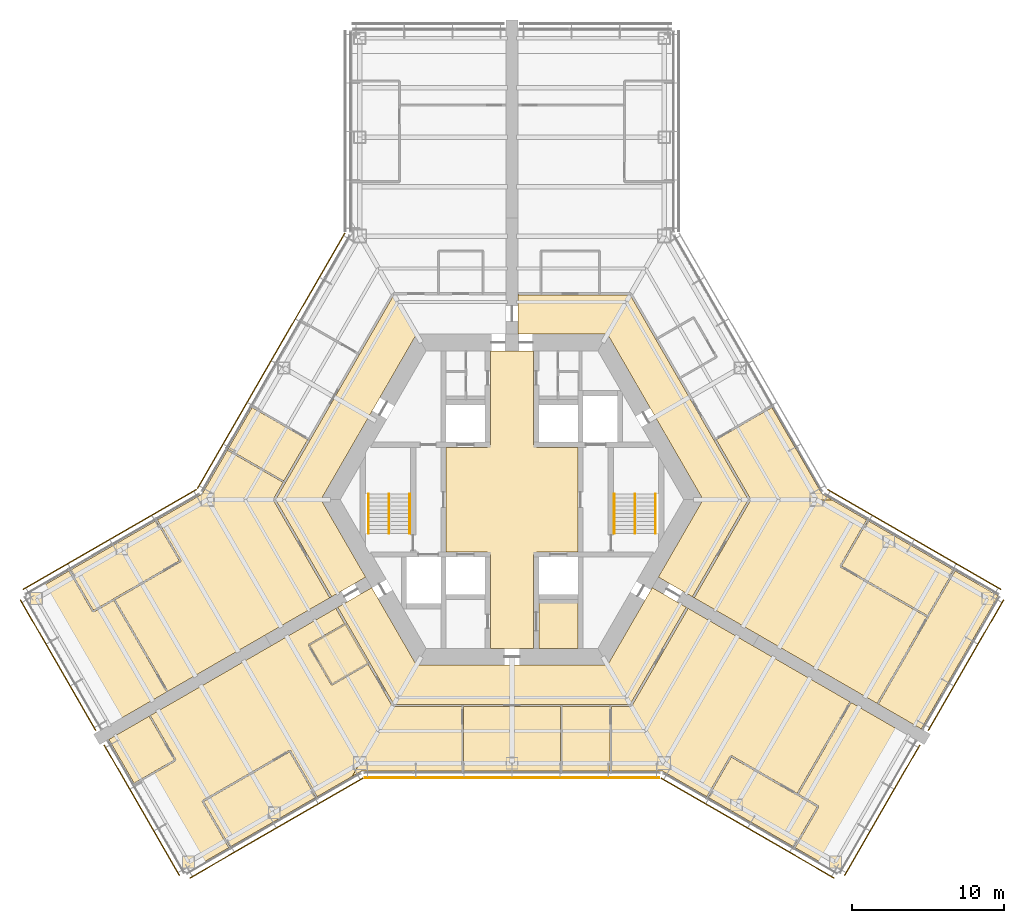
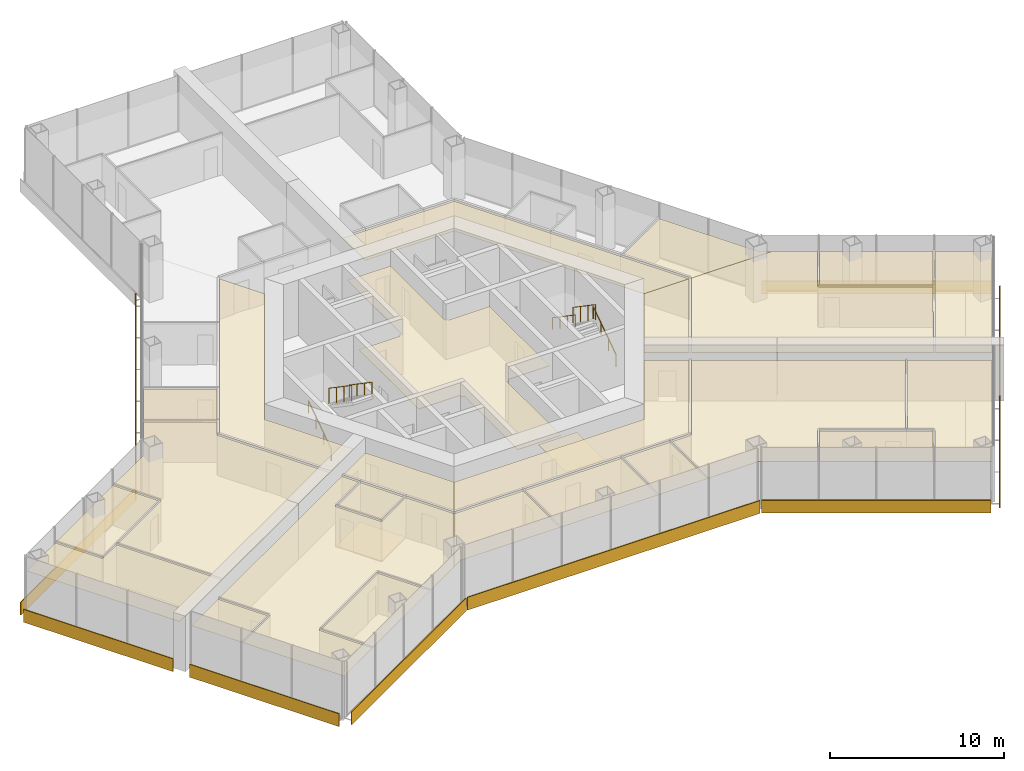
# One storey, part 17 of 18: 26 coverings, 10 shading devices, 6 railings.
"""IFC4 building model written with IfcOpenShell, lengths in metres."""

from ifc_helpers import new_model, si_unit, direction, frame, origin, origin_2d, place, context, subcontext, project, spatial, polyline, rectangle, circle, outline, extrude, material, layer, layer_set, type_object, element, save


model = new_model("IFC4")

# Units and contexts
model_context = context("Model", 3, precision=1e-05, world=origin(), true_north=direction((0.0, 1.0)))
body_context = subcontext(model_context, "Body", "Model", "MODEL_VIEW")
ifc_project = project(units=[si_unit("LENGTHUNIT", "METRE"), si_unit("AREAUNIT", "SQUARE_METRE"), si_unit("VOLUMEUNIT", "CUBIC_METRE"), si_unit("PLANEANGLEUNIT", "RADIAN"), si_unit("MASSUNIT", "GRAM", prefix="KILO")], contexts=[model_context])

# Site, building, storey
site_placement = place(None, origin())
site = spatial("IfcSite", under=ifc_project, at=site_placement, CompositionType="ELEMENT")
building_placement = place(site_placement, origin())
building = spatial("IfcBuilding", under=site, at=building_placement, Name="Kasaneha Research Tower", CompositionType="ELEMENT")
storey_placement = place(building_placement, frame((0.0, 0.0, 115.800048828125)))
storey = spatial("IfcBuildingStorey", under=building, at=storey_placement, Name="L29", CompositionType="ELEMENT", Elevation=115.800048828125)

# Covering
ifc_material_1 = material(Name="Aluminium panel ceiling", Category="aluminium")
ifc_layer_1 = layer(ifc_material_1, 0.0400390625)
ifc_layer_set_1 = layer_set([ifc_layer_1], Name="Lift lobby ceiling 40")
covering_type_1 = type_object("IfcCoveringType", Name="Lift lobby ceiling 40", PredefinedType="CEILING", material=ifc_layer_set_1)
covering_1_placement = place(storey_placement, frame((0.0, 0.0, 2.699951171875)))
element("IfcCovering", 1, at=covering_1_placement, inside=storey, type_object=covering_type_1, Name="Ceiling L29-01", PredefinedType="CEILING", context=body_context, shape_type="SweptSolid", body=[
    extrude(outline(polyline([(1.425048828125, 9.77490234375), (1.425048828125, 3.60009765625), (1.60009765625, 3.60009765625), (1.60009765625, 3.425048828125), (4.324951171875, 3.425048828125), (4.324951171875, -3.425048828125), (1.60009765625, -3.425048828125), (1.60009765625, -3.60009765625), (1.425048828125, -3.60009765625), (1.425048828125, -9.77490234375), (-1.425048828125, -9.77490234375), (-1.425048828125, -3.60009765625), (-1.60009765625, -3.60009765625), (-1.60009765625, -3.425048828125), (-4.324951171875, -3.425048828125), (-4.324951171875, 3.425048828125), (-1.60009765625, 3.425048828125), (-1.60009765625, 3.60009765625), (-1.425048828125, 3.60009765625), (-1.425048828125, 9.77490234375), (1.425048828125, 9.77490234375)])), origin(), (0.0, 0.0, 1.0), 0.0400390625),
])

# Railings
ifc_material_2 = material(Name="Steel", Category="steel")
railing_type_1 = type_object("IfcRailingType", Name="Stair balustrade 1100", PredefinedType="GUARDRAIL", material=ifc_material_2)
for number, where, name in (
    (2, (8.074951171875, 0.375, 2.127197265625), "Stair 1 balustrade L29"),
    (3, (-8.074951171875, 0.375, 2.127197265625), "Stair 2 balustrade L29"),
):
    element("IfcRailing", number, at=place(storey_placement, frame(where)), inside=storey, type_object=railing_type_1, Name=name, PredefinedType="GUARDRAIL", context=body_context, shape_type="SweptSolid", body=[
        extrude(circle(Radius=0.02392578125, at=origin_2d()), frame((0.0, 0.0, 1.076171875), z_axis=(0.0, -0.826240473404, 0.563317565952), x_axis=(1.0, 0.0, 0.0)), (0.0, 0.0, 1.0), 3.14697265625),
        extrude(circle(Radius=0.02099609375, at=origin_2d()), origin(), (0.0, 0.0, 1.0), 1.052001953125),
        extrude(circle(Radius=0.02099609375, at=origin_2d()), frame((0.0, -0.86669921875, 0.5908203125)), (0.0, 0.0, 1.0), 1.052001953125),
        extrude(circle(Radius=0.02099609375, at=origin_2d()), frame((0.0, -1.7333984375, 1.181884765625)), (0.0, 0.0, 1.0), 1.052001953125),
        extrude(circle(Radius=0.02099609375, at=origin_2d()), frame((0.0, -2.60009765625, 1.772705078125)), (0.0, 0.0, 1.0), 1.052001953125),
    ])
ifc_material_3 = material(Name="Steel", Category="steel")
railing_type_2 = type_object("IfcRailingType", Name="Stair handrail 850", PredefinedType="HANDRAIL", material=ifc_material_3)
railing_1_placement = place(storey_placement, frame((9.425048828125, -2.22509765625, 0.17724609375)))
element("IfcRailing", 4, at=railing_1_placement, inside=storey, type_object=railing_type_2, Name="Stair 1 handrail L29", PredefinedType="HANDRAIL", context=body_context, shape_type="SweptSolid", body=[
    extrude(circle(Radius=0.02392578125, at=origin_2d()), frame((0.0, 0.0, 0.826171875), z_axis=(0.0, 0.826240473404, 0.563317565952), x_axis=(-1.0, 0.0, 0.0)), (0.0, 0.0, 1.0), 3.14697265625),
    extrude(circle(Radius=0.02099609375, at=origin_2d()), origin(), (0.0, 0.0, 1.0), 0.802001953125),
    extrude(circle(Radius=0.02099609375, at=origin_2d()), frame((0.0, 0.86669921875, 0.5908203125)), (0.0, 0.0, 1.0), 0.802001953125),
    extrude(circle(Radius=0.02099609375, at=origin_2d()), frame((0.0, 1.7333984375, 1.181884765625)), (0.0, 0.0, 1.0), 0.802001953125),
    extrude(circle(Radius=0.02099609375, at=origin_2d()), frame((0.0, 2.60009765625, 1.772705078125)), (0.0, 0.0, 1.0), 0.802001953125),
])
railing_2_placement = place(storey_placement, frame((6.72509765625, 0.375, 2.127197265625)))
element("IfcRailing", 5, at=railing_2_placement, inside=storey, type_object=railing_type_2, Name="Stair 1 handrail L29", PredefinedType="HANDRAIL", context=body_context, shape_type="SweptSolid", body=[
    extrude(circle(Radius=0.02392578125, at=origin_2d()), frame((0.0, 0.0, 0.826171875), z_axis=(0.0, -0.826240473404, 0.563317565952), x_axis=(1.0, 0.0, 0.0)), (0.0, 0.0, 1.0), 3.14697265625),
    extrude(circle(Radius=0.02099609375, at=origin_2d()), origin(), (0.0, 0.0, 1.0), 0.802001953125),
    extrude(circle(Radius=0.02099609375, at=origin_2d()), frame((0.0, -0.86669921875, 0.5908203125)), (0.0, 0.0, 1.0), 0.802001953125),
    extrude(circle(Radius=0.02099609375, at=origin_2d()), frame((0.0, -1.7333984375, 1.181884765625)), (0.0, 0.0, 1.0), 0.802001953125),
    extrude(circle(Radius=0.02099609375, at=origin_2d()), frame((0.0, -2.60009765625, 1.772705078125)), (0.0, 0.0, 1.0), 0.802001953125),
])
railing_3_placement = place(storey_placement, frame((-9.425048828125, -2.22509765625, 0.17724609375)))
element("IfcRailing", 6, at=railing_3_placement, inside=storey, type_object=railing_type_2, Name="Stair 2 handrail L29", PredefinedType="HANDRAIL", context=body_context, shape_type="SweptSolid", body=[
    extrude(circle(Radius=0.02392578125, at=origin_2d()), frame((0.0, 0.0, 0.826171875), z_axis=(0.0, 0.826240473404, 0.563317565952), x_axis=(-1.0, 0.0, 0.0)), (0.0, 0.0, 1.0), 3.14697265625),
    extrude(circle(Radius=0.02099609375, at=origin_2d()), origin(), (0.0, 0.0, 1.0), 0.802001953125),
    extrude(circle(Radius=0.02099609375, at=origin_2d()), frame((0.0, 0.86669921875, 0.5908203125)), (0.0, 0.0, 1.0), 0.802001953125),
    extrude(circle(Radius=0.02099609375, at=origin_2d()), frame((0.0, 1.7333984375, 1.181884765625)), (0.0, 0.0, 1.0), 0.802001953125),
    extrude(circle(Radius=0.02099609375, at=origin_2d()), frame((0.0, 2.60009765625, 1.772705078125)), (0.0, 0.0, 1.0), 0.802001953125),
])
railing_4_placement = place(storey_placement, frame((-6.72509765625, 0.375, 2.127197265625)))
element("IfcRailing", 7, at=railing_4_placement, inside=storey, type_object=railing_type_2, Name="Stair 2 handrail L29", PredefinedType="HANDRAIL", context=body_context, shape_type="SweptSolid", body=[
    extrude(circle(Radius=0.02392578125, at=origin_2d()), frame((0.0, 0.0, 0.826171875), z_axis=(0.0, -0.826240473404, 0.563317565952), x_axis=(1.0, 0.0, 0.0)), (0.0, 0.0, 1.0), 3.14697265625),
    extrude(circle(Radius=0.02099609375, at=origin_2d()), origin(), (0.0, 0.0, 1.0), 0.802001953125),
    extrude(circle(Radius=0.02099609375, at=origin_2d()), frame((0.0, -0.86669921875, 0.5908203125)), (0.0, 0.0, 1.0), 0.802001953125),
    extrude(circle(Radius=0.02099609375, at=origin_2d()), frame((0.0, -1.7333984375, 1.181884765625)), (0.0, 0.0, 1.0), 0.802001953125),
    extrude(circle(Radius=0.02099609375, at=origin_2d()), frame((0.0, -2.60009765625, 1.772705078125)), (0.0, 0.0, 1.0), 0.802001953125),
])

# Coverings
ifc_material_4 = material(Name="Gypsum ceiling board", Category="gypsum")
ifc_layer_2 = layer(ifc_material_4, 0.02001953125)
ifc_layer_set_2 = layer_set([ifc_layer_2], Name="Suspended ceiling 20")
covering_type_2 = type_object("IfcCoveringType", Name="Suspended ceiling 20", PredefinedType="CEILING", material=ifc_layer_set_2)
covering_2_placement = place(storey_placement, frame((0.0, 0.0, 2.800048828125)))
element("IfcCovering", 8, at=covering_2_placement, inside=storey, type_object=covering_type_2, Name="Ceiling L29-26", PredefinedType="CEILING", context=body_context, shape_type="SweptSolid", body=[
    extrude(outline(polyline([(6.278564453125, 10.875), (0.39990234375, 10.875), (0.39990234375, 11.72509765625), (0.39990234375, 12.72509765625), (0.39990234375, 13.52490234375), (0.419921875, 13.52490234375), (0.419921875, 13.449951171875), (1.89501953125, 13.449951171875), (1.904541015625, 13.449951171875), (5.75244140625, 13.449951171875), (5.761962890625, 13.449951171875), (7.765380859375, 13.449951171875), (9.4501953125, 10.531494140625), (9.4501953125, 10.53173828125), (10.950439453125, 7.93310546875), (10.95068359375, 7.93310546875), (13.2734375, 3.90966796875), (13.2734375, 3.90966796875), (15.53076171875, 0.0), (15.53076171875, 0.0), (12.557373046875, 0.0), (6.278564453125, 10.875)])), origin(), (0.0, 0.0, 1.0), 0.02001953125),
])
covering_3_placement = place(storey_placement, frame((0.0, 0.0, 2.800048828125)))
element("IfcCovering", 9, at=covering_3_placement, inside=storey, type_object=covering_type_2, Name="Ceiling L29-30", PredefinedType="CEILING", context=body_context, shape_type="SweptSolid", body=[
    extrude(outline(polyline([(18.690185546875, 3.29296875), (20.374755859375, 0.374755859375), (21.006103515625, 0.010498046875), (21.011962890625, -0.000244140625), (21.006591796875, -0.010009765625), (15.612060546875, -0.010498046875), (15.604248046875, -0.00048828125), (15.61767578125, 0.000244140625), (15.606201171875, 0.020263671875), (15.670654296875, 0.0576171875), (13.42822265625, 3.94140625), (17.081298828125, 6.055419921875), (18.673583984375, 3.29736328125), (18.682861328125, 3.29833984375), (18.690185546875, 3.29296875)])), origin(), (0.0, 0.0, 1.0), 0.02001953125),
])
covering_4_placement = place(storey_placement, frame((0.0, 0.0, 2.800048828125)))
element("IfcCovering", 10, at=covering_4_placement, inside=storey, type_object=covering_type_2, Name="Ceiling L29-38", PredefinedType="CEILING", context=body_context, shape_type="SweptSolid", body=[
    extrude(outline(polyline([(-12.557373046875, 0.0), (-9.617919921875, -5.091064453125), (-11.77685546875, -6.33740234375), (-11.9130859375, -6.416015625), (-11.923095703125, -6.398681640625), (-11.858154296875, -6.361328125), (-15.53076171875, 0.0), (-14.89697265625, 1.09765625), (-14.89697265625, 1.09765625), (-13.2734375, 3.90966796875), (-13.2734375, 3.90966796875), (-10.02734375, 9.5322265625), (-10.02734375, 9.531982421875), (-7.765380859375, 13.449951171875), (-6.278564453125, 10.875), (-12.557373046875, 0.0)])), origin(), (0.0, 0.0, 1.0), 0.02001953125),
])
covering_5_placement = place(storey_placement, frame((0.0, 0.0, 2.800048828125)))
element("IfcCovering", 11, at=covering_5_placement, inside=storey, type_object=covering_type_2, Name="Ceiling L29-39", PredefinedType="CEILING", context=body_context, shape_type="SweptSolid", body=[
    extrude(outline(polyline([(-29.075439453125, -4.661865234375), (-29.065185546875, -4.6796875), (-29.108642578125, -4.70458984375), (-27.568359375, -7.371826171875), (-27.52490234375, -7.3466796875), (-27.500244140625, -7.39013671875), (-26.167236328125, -6.626220703125), (-22.701171875, -12.62158203125), (-22.65771484375, -12.596435546875), (-22.647705078125, -12.61376953125), (-26.891357421875, -15.063720703125), (-31.94189453125, -6.317138671875), (-29.075439453125, -4.661865234375)])), origin(), (0.0, 0.0, 1.0), 0.02001953125),
])
covering_6_placement = place(storey_placement, frame((0.0, 0.0, 2.800048828125)))
element("IfcCovering", 12, at=covering_6_placement, inside=storey, type_object=covering_type_2, Name="Ceiling L29-41", PredefinedType="CEILING", context=body_context, shape_type="SweptSolid", body=[
    extrude(outline(polyline([(-18.679443359375, 3.287353515625), (-17.081298828125, 6.055419921875), (-13.42822265625, 3.94140625), (-14.9970703125, 1.22412109375), (-18.63720703125, 3.320556640625), (-18.662109375, 3.27734375), (-18.679443359375, 3.287353515625)])), origin(), (0.0, 0.0, 1.0), 0.02001953125),
])
covering_7_placement = place(storey_placement, frame((0.0, 0.0, 2.800048828125)))
element("IfcCovering", 13, at=covering_7_placement, inside=storey, type_object=covering_type_2, Name="Ceiling L29-42", PredefinedType="CEILING", context=body_context, shape_type="SweptSolid", body=[
    extrude(outline(polyline([(-23.34228515625, -1.352294921875), (-23.332275390625, -1.36962890625), (-23.37548828125, -1.39453125), (-21.860595703125, -4.018798828125), (-26.17626953125, -6.510498046875), (-26.173828125, -6.5146484375), (-27.506591796875, -7.278564453125), (-29.02197265625, -4.654541015625), (-29.06494140625, -4.679443359375), (-29.074951171875, -4.662109375), (-23.34228515625, -1.352294921875)])), origin(), (0.0, 0.0, 1.0), 0.02001953125),
])
covering_8_placement = place(storey_placement, frame((0.0, 0.0, 2.800048828125)))
element("IfcCovering", 14, at=covering_8_placement, inside=storey, type_object=covering_type_2, Name="Ceiling L29-43", PredefinedType="CEILING", context=body_context, shape_type="SweptSolid", body=[
    extrude(outline(polyline([(-21.791748046875, -4.037353515625), (-21.7919921875, -4.036865234375), (-21.748779296875, -4.011962890625), (-23.288818359375, -1.344482421875), (-23.331787109375, -1.369384765625), (-23.341796875, -1.35205078125), (-20.365966796875, 0.365966796875), (-18.6796875, 3.286865234375), (-18.662353515625, 3.27685546875), (-18.68701171875, 3.23388671875), (-15.047119140625, 1.137451171875), (-15.68212890625, 0.03759765625), (-15.61767578125, 0.000244140625), (-15.617919921875, -0.000244140625), (-15.61767578125, -0.000244140625), (-15.68212890625, -0.03759765625), (-11.988037109375, -6.436279296875), (-11.92333984375, -6.39892578125), (-11.913330078125, -6.416259765625), (-13.5380859375, -7.354248046875), (-22.6474609375, -12.613525390625), (-22.657470703125, -12.59619140625), (-22.614501953125, -12.571533203125), (-26.0830078125, -6.572021484375), (-21.76708984375, -4.080322265625), (-21.7919921875, -4.037353515625), (-21.791748046875, -4.037353515625)])), origin(), (0.0, 0.0, 1.0), 0.02001953125),
])
covering_9_placement = place(storey_placement, frame((0.0, 0.0, 2.800048828125)))
element("IfcCovering", 15, at=covering_9_placement, inside=storey, type_object=covering_type_2, Name="Ceiling L29-45", PredefinedType="CEILING", context=body_context, shape_type="SweptSolid", body=[
    extrude(outline(polyline([(-7.765380859375, -13.449951171875), (-9.350341796875, -10.704833984375), (-9.350341796875, -10.704833984375), (-10.8505859375, -8.106201171875), (-10.8505859375, -8.106201171875), (-11.43798828125, -7.088623046875), (-11.5029296875, -7.126220703125), (-11.512939453125, -7.10888671875), (-9.218017578125, -5.783935546875), (-6.278564453125, -10.875), (-7.765380859375, -13.449951171875)])), origin(), (0.0, 0.0, 1.0), 0.02001953125),
])
covering_10_placement = place(storey_placement, frame((0.0, 0.0, 2.800048828125)))
element("IfcCovering", 16, at=covering_10_placement, inside=storey, type_object=covering_type_2, Name="Ceiling L29-46", PredefinedType="CEILING", context=body_context, shape_type="SweptSolid", body=[
    extrude(outline(polyline([(-9.505126953125, -10.736572265625), (-11.819580078125, -12.077880859375), (-13.26953125, -9.56640625), (-10.95068359375, -8.232666015625), (-9.505126953125, -10.736572265625)])), origin(), (0.0, 0.0, 1.0), 0.02001953125),
])
covering_11_placement = place(storey_placement, frame((0.0, 0.0, 2.800048828125)))
element("IfcCovering", 17, at=covering_11_placement, inside=storey, type_object=covering_type_2, Name="Ceiling L29-47", PredefinedType="CEILING", context=body_context, shape_type="SweptSolid", body=[
    extrude(outline(polyline([(-18.574951171875, -22.8486328125), (-18.5849609375, -22.831298828125), (-18.541748046875, -22.806396484375), (-20.256591796875, -19.835693359375), (-14.610595703125, -16.575927734375), (-12.885498046875, -19.563720703125), (-12.84228515625, -19.538818359375), (-12.84228515625, -19.538818359375), (-18.574951171875, -22.8486328125)])), origin(), (0.0, 0.0, 1.0), 0.02001953125),
])
covering_12_placement = place(storey_placement, frame((0.0, 0.0, 2.800048828125)))
element("IfcCovering", 18, at=covering_12_placement, inside=storey, type_object=covering_type_2, Name="Ceiling L29-48", PredefinedType="CEILING", context=body_context, shape_type="SweptSolid", body=[
    extrude(outline(polyline([(-23.806640625, -14.20654296875), (-23.796630859375, -14.223876953125), (-23.840087890625, -14.2490234375), (-22.191650390625, -17.10400390625), (-24.8330078125, -18.62890625), (-24.80810546875, -18.67236328125), (-24.80810546875, -18.67236328125), (-26.491455078125, -15.756591796875), (-23.806640625, -14.20654296875)])), origin(), (0.0, 0.0, 1.0), 0.02001953125),
])
covering_13_placement = place(storey_placement, frame((0.0, 0.0, 2.800048828125)))
element("IfcCovering", 19, at=covering_13_placement, inside=storey, type_object=covering_type_2, Name="Ceiling L29-49", PredefinedType="CEILING", context=body_context, shape_type="SweptSolid", body=[
    extrude(outline(polyline([(-13.33837890625, -9.548095703125), (-13.338134765625, -9.54833984375), (-13.381103515625, -9.572998046875), (-11.881103515625, -12.171142578125), (-11.83837890625, -12.146484375), (-11.83837890625, -12.146484375), (-11.837890625, -12.146240234375), (-11.812744140625, -12.189453125), (-9.455078125, -10.8232421875), (-7.88525390625, -13.54248046875), (-7.820556640625, -13.505126953125), (-7.808837890625, -13.525390625), (-10.5, -18.1865234375), (-12.841796875, -19.53857421875), (-12.841796875, -19.53857421875), (-12.798828125, -19.513916015625), (-14.548828125, -16.482666015625), (-14.592041015625, -16.507568359375), (-14.59228515625, -16.50732421875), (-14.592529296875, -16.50732421875), (-14.6171875, -16.46435546875), (-20.35009765625, -19.774169921875), (-20.3251953125, -19.817138671875), (-20.3251953125, -19.817138671875), (-20.324951171875, -19.817626953125), (-20.368408203125, -19.842529296875), (-18.62841796875, -22.856201171875), (-18.58544921875, -22.83154296875), (-18.575439453125, -22.848876953125), (-21.44140625, -24.50341796875), (-24.782958984375, -18.715576171875), (-22.098388671875, -17.16552734375), (-22.123046875, -17.12255859375), (-22.122802734375, -17.122314453125), (-22.123046875, -17.1220703125), (-22.080078125, -17.097412109375), (-23.75341796875, -14.198974609375), (-23.796142578125, -14.2236328125), (-23.80615234375, -14.206298828125), (-11.513427734375, -7.109130859375), (-11.50341796875, -7.12646484375), (-11.56787109375, -7.163818359375), (-11.000732421875, -8.14599609375), (-13.36279296875, -9.504638671875), (-13.337890625, -9.5478515625), (-13.33837890625, -9.548095703125)])), origin(), (0.0, 0.0, 1.0), 0.02001953125),
])
covering_14_placement = place(storey_placement, frame((0.0, 0.0, 2.800048828125)))
element("IfcCovering", 20, at=covering_14_placement, inside=storey, type_object=covering_type_2, Name="Ceiling L29-50", PredefinedType="CEILING", context=body_context, shape_type="SweptSolid", body=[
    extrude(outline(polyline([(9.617919921875, -5.091064453125), (12.557373046875, 0.0), (15.53076171875, 0.0), (11.858154296875, -6.361328125), (11.923095703125, -6.398681640625), (11.9130859375, -6.416015625), (11.77685546875, -6.33740234375), (9.617919921875, -5.091064453125)])), origin(), (0.0, 0.0, 1.0), 0.02001953125),
])
covering_15_placement = place(storey_placement, frame((0.0, 0.0, 2.800048828125)))
element("IfcCovering", 21, at=covering_15_placement, inside=storey, type_object=covering_type_2, Name="Ceiling L29-51", PredefinedType="CEILING", context=body_context, shape_type="SweptSolid", body=[
    extrude(outline(polyline([(29.03173828125, -4.63720703125), (27.303955078125, -7.61865234375), (21.660400390625, -4.364990234375), (23.37548828125, -1.39453125), (23.332275390625, -1.36962890625), (23.34228515625, -1.352294921875), (29.03173828125, -4.63720703125)])), origin(), (0.0, 0.0, 1.0), 0.02001953125),
])
covering_16_placement = place(storey_placement, frame((0.0, 0.0, 2.800048828125)))
element("IfcCovering", 22, at=covering_16_placement, inside=storey, type_object=covering_type_2, Name="Ceiling L29-52", PredefinedType="CEILING", context=body_context, shape_type="SweptSolid", body=[
    extrude(outline(polyline([(29.075439453125, -4.661865234375), (31.94189453125, -6.317138671875), (26.891357421875, -15.063720703125), (24.033447265625, -13.413818359375), (24.04345703125, -13.396484375), (24.0869140625, -13.42138671875), (27.369873046875, -7.71435546875), (27.365478515625, -7.7119140625), (29.1181640625, -4.687255859375), (29.0751953125, -4.662353515625), (29.075439453125, -4.661865234375)])), origin(), (0.0, 0.0, 1.0), 0.02001953125),
])
covering_17_placement = place(storey_placement, frame((0.0, 0.0, 2.800048828125)))
element("IfcCovering", 23, at=covering_17_placement, inside=storey, type_object=covering_type_2, Name="Ceiling L29-53", PredefinedType="CEILING", context=body_context, shape_type="SweptSolid", body=[
    extrude(outline(polyline([(21.0, 0.0), (23.341796875, -1.35205078125), (23.331787109375, -1.369384765625), (23.288818359375, -1.344482421875), (21.548828125, -4.3583984375), (21.592041015625, -4.38330078125), (21.591796875, -4.3837890625), (21.592041015625, -4.3837890625), (21.567138671875, -4.4267578125), (27.25830078125, -7.707763671875), (24.000244140625, -13.37158203125), (24.04296875, -13.396240234375), (24.032958984375, -13.41357421875), (15.218994140625, -8.324951171875), (11.913330078125, -6.416259765625), (11.92333984375, -6.39892578125), (11.988037109375, -6.436279296875), (15.670654296875, -0.0576171875), (15.606201171875, -0.020263671875), (15.617919921875, 0.0), (21.0, 0.0)])), origin(), (0.0, 0.0, 1.0), 0.02001953125),
])
covering_18_placement = place(storey_placement, frame((0.0, 0.0, 2.800048828125)))
element("IfcCovering", 24, at=covering_18_placement, inside=storey, type_object=covering_type_2, Name="Ceiling L29-54", PredefinedType="CEILING", context=body_context, shape_type="SweptSolid", body=[
    extrude(outline(polyline([(-6.278564453125, -10.875), (6.278564453125, -10.875), (9.218017578125, -5.783935546875), (11.512939453125, -7.10888671875), (11.5029296875, -7.126220703125), (11.43798828125, -7.088623046875), (7.765380859375, -13.449951171875), (6.497802734375, -13.449951171875), (6.48828125, -13.449951171875), (3.2509765625, -13.449951171875), (3.241455078125, -13.449951171875), (-3.241455078125, -13.449951171875), (-3.2509765625, -13.449951171875), (-7.765380859375, -13.449951171875), (-7.765380859375, -13.449951171875), (-6.278564453125, -10.875)])), origin(), (0.0, 0.0, 1.0), 0.02001953125),
])
covering_19_placement = place(storey_placement, frame((0.0, 0.0, 2.800048828125)))
element("IfcCovering", 25, at=covering_19_placement, inside=storey, type_object=covering_type_2, Name="Ceiling L29-55", PredefinedType="CEILING", context=body_context, shape_type="SweptSolid", body=[
    extrude(outline(polyline([(18.574951171875, -22.84912109375), (18.5751953125, -22.848876953125), (18.61865234375, -22.873779296875), (20.168212890625, -20.18896484375), (20.125, -20.163818359375), (20.150146484375, -20.12060546875), (18.822021484375, -19.348388671875), (22.281005859375, -13.348876953125), (22.23779296875, -13.323974609375), (22.247802734375, -13.306640625), (23.287841796875, -13.9072265625), (26.491455078125, -15.756591796875), (21.441650390625, -24.50390625), (18.574951171875, -22.84912109375)])), origin(), (0.0, 0.0, 1.0), 0.02001953125),
])
covering_20_placement = place(storey_placement, frame((0.0, 0.0, 2.800048828125)))
element("IfcCovering", 26, at=covering_20_placement, inside=storey, type_object=covering_type_2, Name="Ceiling L29-56", PredefinedType="CEILING", context=body_context, shape_type="SweptSolid", body=[
    extrude(outline(polyline([(3.246337890625, -17.800537109375), (3.29638671875, -17.800537109375), (3.30078125, -13.60009765625), (6.4384765625, -13.60009765625), (6.44287109375, -17.800537109375), (6.492919921875, -17.800537109375), (6.492919921875, -17.820556640625), (3.246337890625, -17.820556640625), (3.246337890625, -17.800537109375)])), origin(), (0.0, 0.0, 1.0), 0.02001953125),
])
covering_21_placement = place(storey_placement, frame((0.0, 0.0, 2.800048828125)))
element("IfcCovering", 27, at=covering_21_placement, inside=storey, type_object=covering_type_2, Name="Ceiling L29-57", PredefinedType="CEILING", context=body_context, shape_type="SweptSolid", body=[
    extrude(outline(polyline([(-10.50048828125, -18.1865234375), (-7.80908203125, -13.52490234375), (-7.78564453125, -13.52490234375), (-7.78564453125, -13.60009765625), (-3.30078125, -13.60009765625), (-3.29638671875, -17.800537109375), (-3.246337890625, -17.800537109375), (-3.246337890625, -17.820556640625), (-9.865966796875, -17.821044921875), (-10.50048828125, -18.1865234375)])), origin(), (0.0, 0.0, 1.0), 0.02001953125),
])
covering_22_placement = place(storey_placement, frame((0.0, 0.0, 2.800048828125)))
element("IfcCovering", 28, at=covering_22_placement, inside=storey, type_object=covering_type_2, Name="Ceiling L29-58", PredefinedType="CEILING", context=body_context, shape_type="SweptSolid", body=[
    extrude(outline(polyline([(12.84228515625, -19.538818359375), (12.84228515625, -19.538818359375), (12.885498046875, -19.563720703125), (14.410400390625, -16.92236328125), (18.726318359375, -19.4140625), (18.728759765625, -19.40966796875), (20.056884765625, -20.18212890625), (18.531982421875, -22.82373046875), (18.574951171875, -22.8486328125), (18.574951171875, -22.8486328125), (12.84228515625, -19.538818359375)])), origin(), (0.0, 0.0, 1.0), 0.02001953125),
])
covering_23_placement = place(storey_placement, frame((0.0, 0.0, 2.800048828125)))
element("IfcCovering", 29, at=covering_23_placement, inside=storey, type_object=covering_type_2, Name="Ceiling L29-59", PredefinedType="CEILING", context=body_context, shape_type="SweptSolid", body=[
    extrude(outline(polyline([(7.80908203125, -13.525146484375), (7.87353515625, -13.5625), (11.56787109375, -7.163818359375), (11.50341796875, -7.12646484375), (11.513427734375, -7.109130859375), (20.697021484375, -12.411376953125), (22.247314453125, -13.306396484375), (22.2373046875, -13.32373046875), (22.194580078125, -13.299072265625), (18.73291015625, -19.302490234375), (14.417236328125, -16.810791015625), (14.392333984375, -16.853759765625), (14.39208984375, -16.853515625), (14.39208984375, -16.85400390625), (14.348876953125, -16.8291015625), (12.798828125, -19.513916015625), (12.841796875, -19.53857421875), (12.841796875, -19.53857421875), (9.865966796875, -17.820556640625), (6.493408203125, -17.820556640625), (6.493408203125, -17.800537109375), (6.542724609375, -17.800537109375), (6.538330078125, -13.60009765625), (7.80859375, -13.60009765625), (7.80859375, -13.525390625), (7.80908203125, -13.525390625), (7.80908203125, -13.525146484375)])), origin(), (0.0, 0.0, 1.0), 0.02001953125),
])
covering_24_placement = place(storey_placement, frame((0.0, 0.0, 2.800048828125)))
element("IfcCovering", 30, at=covering_24_placement, inside=storey, type_object=covering_type_2, Name="Ceiling L29-60", PredefinedType="CEILING", context=body_context, shape_type="SweptSolid", body=[
    extrude(outline(polyline([(3.245849609375, -17.820556640625), (-3.245849609375, -17.820556640625), (-3.245849609375, -17.800537109375), (-3.1962890625, -17.800537109375), (-3.200927734375, -13.60009765625), (3.200927734375, -13.60009765625), (3.1962890625, -17.800537109375), (3.245849609375, -17.800537109375), (3.245849609375, -17.820556640625)])), origin(), (0.0, 0.0, 1.0), 0.02001953125),
])

# Shading devices
ifc_material_5 = material(Name="Terracotta", Category="masonry")
ifc_layer_3 = layer(ifc_material_5, 0.06005859375)
ifc_layer_set_3 = layer_set([ifc_layer_3], Name="Terracotta baguette screen")
shading_device_type = type_object("IfcShadingDeviceType", Name="Terracotta baguette screen", PredefinedType="USERDEFINED", material=ifc_layer_set_3)
shading_device_1_placement = place(storey_placement, frame((-15.483642578125, -21.58349609375, -0.449951171875), z_axis=(0.0, 0.0, 1.0), x_axis=(0.866025411464, 0.499999986699, 0.0)))
element("IfcShadingDevice", 31, at=shading_device_1_placement, inside=storey, type_object=shading_device_type, Name="Baguette screen L29 01", ObjectType="TERRACOTTA BAGUETTE SCREEN", PredefinedType="USERDEFINED", context=body_context, shape_type="SweptSolid", body=[
    extrude(rectangle(XDim=13.13916015625, YDim=0.06005859375, at=origin_2d()), origin(), (0.0, 0.0, 1.0), 0.89990234375),
])
shading_device_2_placement = place(storey_placement, frame((0.0, -18.2705078125, -0.449951171875), z_axis=(0.0, 0.0, 1.0), x_axis=(1.0, 0.0, 0.0)))
element("IfcShadingDevice", 32, at=shading_device_2_placement, inside=storey, type_object=shading_device_type, Name="Baguette screen L29 02", ObjectType="TERRACOTTA BAGUETTE SCREEN", PredefinedType="USERDEFINED", context=body_context, shape_type="SweptSolid", body=[
    extrude(rectangle(XDim=19.37841796875, YDim=0.06005859375, at=origin_2d()), origin(), (0.0, 0.0, 1.0), 0.89990234375),
])
shading_device_3_placement = place(storey_placement, frame((15.483642578125, -21.58349609375, -0.449951171875), z_axis=(0.0, 0.0, 1.0), x_axis=(0.866025411464, -0.499999986699, 0.0)))
element("IfcShadingDevice", 33, at=shading_device_3_placement, inside=storey, type_object=shading_device_type, Name="Baguette screen L29 03", ObjectType="TERRACOTTA BAGUETTE SCREEN", PredefinedType="USERDEFINED", context=body_context, shape_type="SweptSolid", body=[
    extrude(rectangle(XDim=13.13916015625, YDim=0.06005859375, at=origin_2d()), origin(), (0.0, 0.0, 1.0), 0.89990234375),
])
for number, where, z_axis, x_axis, name in (
    (34, (24.3310546875, -20.3984375, -0.449951171875), (0.0, 0.0, 1.0), (0.500000011442, 0.866025397178, 0.0), "Baguette screen L29 04"),
    (35, (29.8310546875, -10.8720703125, -0.449951171875), (0.0, 0.0, 1.0), (0.500000011442, 0.866025397178, 0.0), "Baguette screen L29 05"),
):
    element("IfcShadingDevice", number, at=place(storey_placement, frame(where, z_axis=z_axis, x_axis=x_axis)), inside=storey, type_object=shading_device_type, Name=name, ObjectType="TERRACOTTA BAGUETTE SCREEN", PredefinedType="USERDEFINED", context=body_context, shape_type="SweptSolid", body=[
        extrude(rectangle(XDim=9.89990234375, YDim=0.06005859375, at=origin_2d()), origin(), (0.0, 0.0, 1.0), 0.89990234375),
    ])
shading_device_4_placement = place(storey_placement, frame((26.43359375, -2.617431640625, -0.449951171875), z_axis=(0.0, 0.0, 1.0), x_axis=(-0.866025411464, 0.499999986699, 0.0)))
element("IfcShadingDevice", 36, at=shading_device_4_placement, inside=storey, type_object=shading_device_type, Name="Baguette screen L29 06", ObjectType="TERRACOTTA BAGUETTE SCREEN", PredefinedType="USERDEFINED", context=body_context, shape_type="SweptSolid", body=[
    extrude(rectangle(XDim=13.13916015625, YDim=0.06005859375, at=origin_2d()), origin(), (0.0, 0.0, 1.0), 0.89990234375),
])
shading_device_5_placement = place(storey_placement, frame((-15.82275390625, 9.13525390625, -0.449951171875), z_axis=(0.0, 0.0, 1.0), x_axis=(-0.49999996188, -0.866025425793, 0.0)))
element("IfcShadingDevice", 37, at=shading_device_5_placement, inside=storey, type_object=shading_device_type, Name="Baguette screen L29 12", ObjectType="TERRACOTTA BAGUETTE SCREEN", PredefinedType="USERDEFINED", context=body_context, shape_type="SweptSolid", body=[
    extrude(rectangle(XDim=19.37841796875, YDim=0.06005859375, at=origin_2d()), origin(), (0.0, 0.0, 1.0), 0.89990234375),
])
shading_device_6_placement = place(storey_placement, frame((-26.43359375, -2.617431640625, -0.449951171875), z_axis=(0.0, 0.0, 1.0), x_axis=(-0.866025411464, -0.499999986699, 0.0)))
element("IfcShadingDevice", 38, at=shading_device_6_placement, inside=storey, type_object=shading_device_type, Name="Baguette screen L29 13", ObjectType="TERRACOTTA BAGUETTE SCREEN", PredefinedType="USERDEFINED", context=body_context, shape_type="SweptSolid", body=[
    extrude(rectangle(XDim=13.13916015625, YDim=0.06005859375, at=origin_2d()), origin(), (0.0, 0.0, 1.0), 0.89990234375),
])
for number, where, z_axis, x_axis, name in (
    (39, (-29.8310546875, -10.8720703125, -0.449951171875), (0.0, 0.0, 1.0), (0.500000011442, -0.866025397178, 0.0), "Baguette screen L29 14"),
    (40, (-24.3310546875, -20.3984375, -0.449951171875), (0.0, 0.0, 1.0), (0.500000011442, -0.866025397178, 0.0), "Baguette screen L29 15"),
):
    element("IfcShadingDevice", number, at=place(storey_placement, frame(where, z_axis=z_axis, x_axis=x_axis)), inside=storey, type_object=shading_device_type, Name=name, ObjectType="TERRACOTTA BAGUETTE SCREEN", PredefinedType="USERDEFINED", context=body_context, shape_type="SweptSolid", body=[
        extrude(rectangle(XDim=9.89990234375, YDim=0.06005859375, at=origin_2d()), origin(), (0.0, 0.0, 1.0), 0.89990234375),
    ])

# Coverings
ifc_material_6 = material(Name="Vinyl sheet flooring", Category="plastic")
ifc_layer_4 = layer(ifc_material_6, 0.0048828125)
ifc_layer_set_4 = layer_set([ifc_layer_4], Name="Wet room sheet flooring 5")
covering_type_3 = type_object("IfcCoveringType", Name="Wet room sheet flooring 5", PredefinedType="FLOORING", material=ifc_layer_set_4)
covering_25_placement = place(storey_placement, origin())
element("IfcCovering", 41, at=covering_25_placement, inside=storey, type_object=covering_type_3, Name="Floor finish L29-13", PredefinedType="FLOORING", context=body_context, shape_type="SweptSolid", body=[
    extrude(outline(polyline([(1.77490234375, -9.77490234375), (1.77490234375, -6.574951171875), (4.324951171875, -6.574951171875), (4.324951171875, -9.77490234375), (1.77490234375, -9.77490234375)])), origin(), (0.0, 0.0, 1.0), 0.0048828125),
])
covering_26_placement = place(storey_placement, origin())
element("IfcCovering", 42, at=covering_26_placement, inside=storey, type_object=covering_type_3, Name="Floor finish L29-46", PredefinedType="FLOORING", context=body_context, shape_type="SweptSolid", body=[
    extrude(outline(polyline([(-11.837890625, -12.146240234375), (-13.337890625, -9.548095703125), (-10.9130859375, -8.148193359375), (-9.4130859375, -10.746337890625), (-11.837890625, -12.146240234375)])), origin(), (0.0, 0.0, 1.0), 0.0048828125),
])

save(model, "model.ifc")
